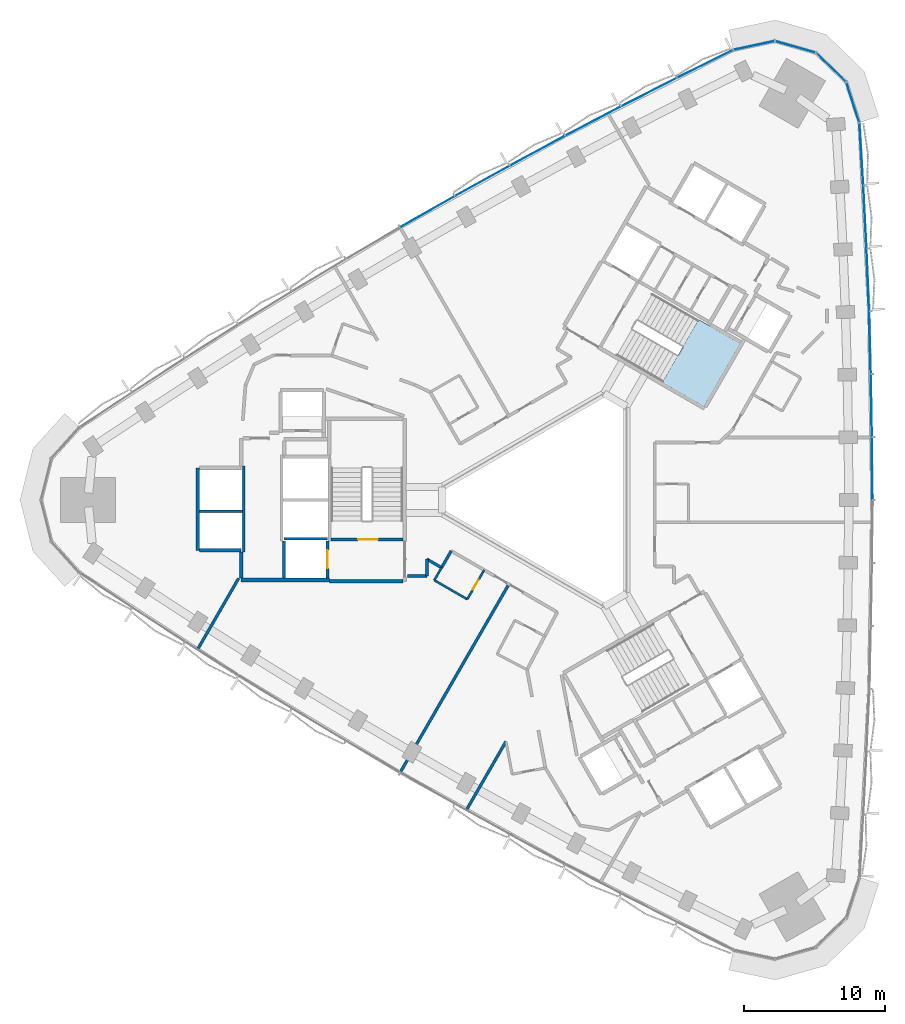
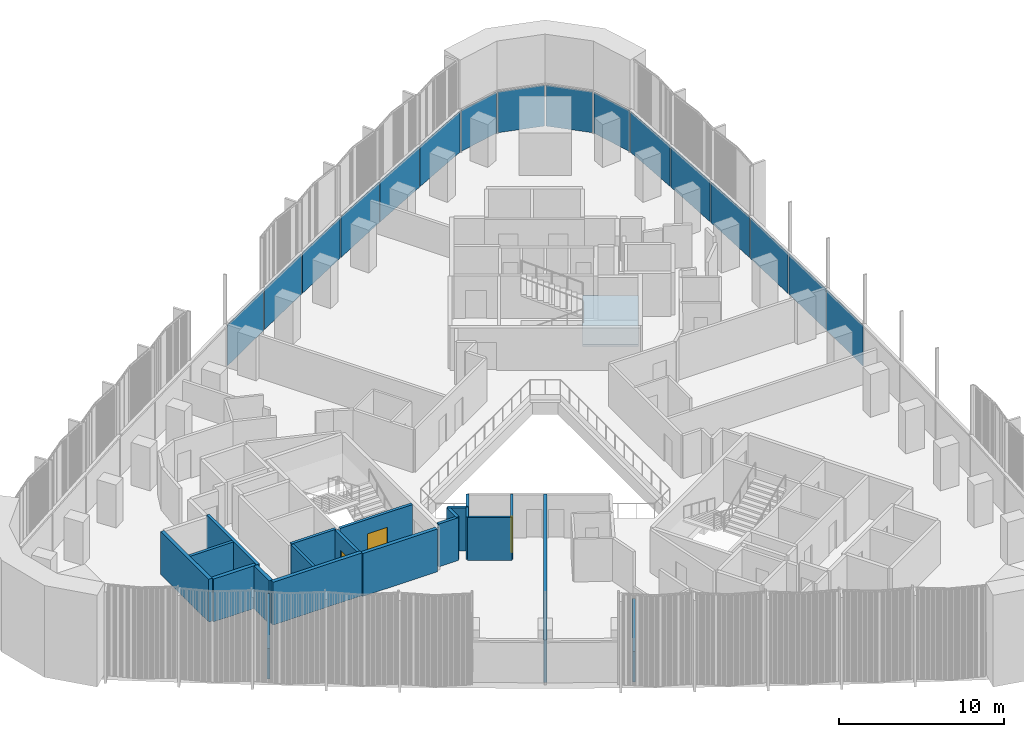
# One storey, part 7 of 15: 21 walls, 16 plates, 3 doors, 1 slab, 3 openings, 3 elements without a shape of their own.
"""IFC4 building model written with IfcOpenShell, lengths in metres."""

from ifc_helpers import new_model, si_unit, direction, frame, frame_2d, origin, origin_2d, place, context, subcontext, project, spatial, polyline, rectangle, outline, extrude, material, layer, layer_set, type_object, element, fill, aggregate, save


model = new_model("IFC4")

# Units and contexts
model_context = context("Model", 3, precision=1e-05, world=origin(), true_north=direction((0.0, 1.0)))
body_context = subcontext(model_context, "Body", "Model", "MODEL_VIEW")
ifc_project = project(units=[si_unit("LENGTHUNIT", "METRE"), si_unit("AREAUNIT", "SQUARE_METRE"), si_unit("VOLUMEUNIT", "CUBIC_METRE"), si_unit("PLANEANGLEUNIT", "RADIAN"), si_unit("MASSUNIT", "GRAM", prefix="KILO")], contexts=[model_context])

# Site, building, storey
site_placement = place(None, origin())
site = spatial("IfcSite", under=ifc_project, at=site_placement, CompositionType="ELEMENT")
building_placement = place(site_placement, origin())
building = spatial("IfcBuilding", under=site, at=building_placement, Name="Tamra Quay Hotel Tower", CompositionType="ELEMENT")
storey_placement = place(building_placement, frame((0.0, 0.0, 111.800048828125)))
storey = spatial("IfcBuildingStorey", under=building, at=storey_placement, Name="L27", CompositionType="ELEMENT", Elevation=111.800048828125)

# Stair, slab
ifc_material_1 = material(Name="Exit stair 2200 24 risers 150.0 going 342")
stair_type = type_object("IfcStairType", Name="Exit stair 2200 24 risers 150.0 going 342", PredefinedType="HALF_TURN_STAIR", material=ifc_material_1)
stair_placement = place(storey_placement, origin())
stair = element("IfcStair", 1, at=stair_placement, inside=storey, type_object=stair_type, Name="L27 Exit stair ST1", PredefinedType="HALF_TURN_STAIR")
ifc_material_2 = material(Name="Concrete M70", Category="concrete")
ifc_layer_1 = layer(ifc_material_2, 0.175048828125)
ifc_layer_set_1 = layer_set([ifc_layer_1], Name="Concrete M70 stair landing 180")
slab_type = type_object("IfcSlabType", Name="Concrete M70 stair landing 180", PredefinedType="LANDING", material=ifc_layer_set_1)
slab_placement = place(storey_placement, frame((0.0, 0.0, 1.625)))
slab = element("IfcSlab", 2, at=slab_placement, type_object=slab_type, Name="ST1 landing 1", PredefinedType="LANDING", context=body_context, shape_type="SweptSolid", body=[
    extrude(outline(polyline([(7.425048828125, 8.336669921875), (10.385009765625, 6.627685546875), (12.964599609375, 11.095458984375), (10.00439453125, 12.804443359375), (7.425048828125, 8.336669921875)])), origin(), (0.0, 0.0, 1.0), 0.175048828125),
])
aggregate(stair, [slab])

# Curtain wall, plates
ifc_material_3 = material(Name="Aluminium 6063 anodised dark grey", Category="aluminium")
curtain_wall_type_1 = type_object("IfcCurtainWallType", Name="CW1 CURTAIN WALL", PredefinedType="NOTDEFINED", material=ifc_material_3)
curtain_wall_1_placement = place(storey_placement, origin())
curtain_wall_1 = element("IfcCurtainWall", 3, at=curtain_wall_1_placement, inside=storey, type_object=curtain_wall_type_1, Name="CW1 east face L27", PredefinedType="NOTDEFINED")
ifc_material_4 = material(Name="Glass clear laminated low-iron", Category="glass")
ifc_layer_2 = layer(ifc_material_4, 0.033935546875)
ifc_layer_set_2 = layer_set([ifc_layer_2], Name="GLASS PANEL CW1 Z2")
plate_type_1 = type_object("IfcPlateType", Name="GLASS PANEL CW1 Z2", PredefinedType="CURTAIN_PANEL", material=ifc_layer_set_2)
plate_1_placement = place(storey_placement, frame((22.3203125, 2.23193359375, 0.0), z_axis=(0.0, 0.0, 1.0), x_axis=(-0.005712677225, 0.999983682526, 0.0)))
plate_1 = element("IfcPlate", 4, at=plate_1_placement, type_object=plate_type_1, Name="CW1 glass L27.E.7", PredefinedType="CURTAIN_PANEL", context=body_context, shape_type="SweptSolid", body=[
    extrude(rectangle(XDim=4.364013671875, YDim=0.033935546875, at=origin_2d()), origin(), (0.0, 0.0, 1.0), 3.034912109375),
])
plate_2_placement = place(storey_placement, frame((22.269287109375, 6.695556640625, 0.0), z_axis=(0.0, 0.0, 1.0), x_axis=(-0.017133900698, 0.999853203949, 0.0)))
plate_2 = element("IfcPlate", 5, at=plate_2_placement, type_object=plate_type_1, Name="CW1 glass L27.E.8", PredefinedType="CURTAIN_PANEL", context=body_context, shape_type="SweptSolid", body=[
    extrude(rectangle(XDim=4.364013671875, YDim=0.033935546875, at=origin_2d()), origin(), (0.0, 0.0, 1.0), 3.034912109375),
])
plate_3_placement = place(storey_placement, frame((22.167236328125, 11.158203125, 0.0), z_axis=(0.0, 0.0, 1.0), x_axis=(-0.028546238865, 0.999592473084, 0.0)))
plate_3 = element("IfcPlate", 6, at=plate_3_placement, type_object=plate_type_1, Name="CW1 glass L27.E.9", PredefinedType="CURTAIN_PANEL", context=body_context, shape_type="SweptSolid", body=[
    extrude(rectangle(XDim=4.364013671875, YDim=0.033935546875, at=origin_2d()), origin(), (0.0, 0.0, 1.0), 3.034912109375),
])
plate_4_placement = place(storey_placement, frame((22.014404296875, 15.61962890625, 0.0), z_axis=(0.0, 0.0, 1.0), x_axis=(-0.039943755239, 0.999201929751, 0.0)))
plate_4 = element("IfcPlate", 7, at=plate_4_placement, type_object=plate_type_1, Name="CW1 glass L27.E.10", PredefinedType="CURTAIN_PANEL", context=body_context, shape_type="SweptSolid", body=[
    extrude(rectangle(XDim=4.364013671875, YDim=0.033935546875, at=origin_2d()), origin(), (0.0, 0.0, 1.0), 3.034912109375),
])
plate_5_placement = place(storey_placement, frame((21.810791015625, 20.078857421875, 0.0), z_axis=(0.0, 0.0, 1.0), x_axis=(-0.051320550821, 0.998682232276, 0.0)))
plate_5 = element("IfcPlate", 8, at=plate_5_placement, type_object=plate_type_1, Name="CW1 glass L27.E.11", PredefinedType="CURTAIN_PANEL", context=body_context, shape_type="SweptSolid", body=[
    extrude(rectangle(XDim=4.364013671875, YDim=0.033935546875, at=origin_2d()), origin(), (0.0, 0.0, 1.0), 3.034912109375),
])
plate_6_placement = place(storey_placement, frame((21.556396484375, 24.53515625, 0.0), z_axis=(0.0, 0.0, 1.0), x_axis=(-0.062670105733, 0.998034296929, 0.0)))
plate_6 = element("IfcPlate", 9, at=plate_6_placement, type_object=plate_type_1, Name="CW1 glass L27.E.12", PredefinedType="CURTAIN_PANEL", context=body_context, shape_type="SweptSolid", body=[
    extrude(rectangle(XDim=4.363525390625, YDim=0.033935546875, at=origin_2d()), origin(), (0.0, 0.0, 1.0), 3.034912109375),
])
plate_7_placement = place(storey_placement, frame((20.9521484375, 28.197509765625, 0.0), z_axis=(0.0, 0.0, 1.0), x_axis=(-0.307790863622, 0.951454036867, 0.0)))
plate_7 = element("IfcPlate", 10, at=plate_7_placement, type_object=plate_type_1, Name="CW1 glass L27.E.13", PredefinedType="CURTAIN_PANEL", context=body_context, shape_type="SweptSolid", body=[
    extrude(rectangle(XDim=2.916748046875, YDim=0.033935546875, at=origin_2d()), origin(), (0.0, 0.0, 1.0), 3.034912109375),
])
plate_8_placement = place(storey_placement, frame((19.4033203125, 30.680908203125, 0.0), z_axis=(0.0, 0.0, 1.0), x_axis=(-0.71904127153, 0.694967373217, 0.0)))
plate_8 = element("IfcPlate", 11, at=plate_8_placement, type_object=plate_type_1, Name="CW1 glass L27.E.14", PredefinedType="CURTAIN_PANEL", context=body_context, shape_type="SweptSolid", body=[
    extrude(rectangle(XDim=2.916748046875, YDim=0.033935546875, at=origin_2d()), origin(), (0.0, 0.0, 1.0), 3.034912109375),
])
plate_9_placement = place(storey_placement, frame((16.868896484375, 32.144287109375, 0.0), z_axis=(0.0, 0.0, 1.0), x_axis=(-0.961380035772, 0.275224320906, 0.0)))
plate_9 = element("IfcPlate", 12, at=plate_9_placement, type_object=plate_type_1, Name="CW1 glass L27.E.15", PredefinedType="CURTAIN_PANEL", context=body_context, shape_type="SweptSolid", body=[
    extrude(rectangle(XDim=2.916748046875, YDim=0.033935546875, at=origin_2d()), origin(), (0.0, 0.0, 1.0), 3.034912109375),
])
plate_10_placement = place(storey_placement, frame((13.94384765625, 32.243896484375, 0.0), z_axis=(0.0, 0.0, 1.0), x_axis=(-0.977878798271, -0.209172311484, 0.0)))
plate_10 = element("IfcPlate", 13, at=plate_10_placement, type_object=plate_type_1, Name="CW1 glass L27.E.16", PredefinedType="CURTAIN_PANEL", context=body_context, shape_type="SweptSolid", body=[
    extrude(rectangle(XDim=2.916748046875, YDim=0.033935546875, at=origin_2d()), origin(), (0.0, 0.0, 1.0), 3.034912109375),
])
aggregate(curtain_wall_1, [plate_1, plate_2, plate_3, plate_4, plate_5, plate_6, plate_7, plate_8, plate_9, plate_10])

curtain_wall_type_2 = type_object("IfcCurtainWallType", Name="CW2 CURTAIN WALL", PredefinedType="NOTDEFINED", material=ifc_material_3)
curtain_wall_2_placement = place(storey_placement, origin())
curtain_wall_2 = element("IfcCurtainWall", 14, at=curtain_wall_2_placement, inside=storey, type_object=curtain_wall_type_2, Name="CW2 north-west face L27", PredefinedType="NOTDEFINED")
ifc_layer_3 = layer(ifc_material_4, 0.033935546875)
ifc_layer_set_3 = layer_set([ifc_layer_3], Name="GLASS PANEL CW2 Z2")
plate_type_2 = type_object("IfcPlateType", Name="GLASS PANEL CW2 Z2", PredefinedType="CURTAIN_PANEL", material=ifc_layer_set_3)
plate_11_placement = place(storey_placement, frame((10.469970703125, 30.935791015625, 0.0), z_axis=(0.0, 0.0, 1.0), x_axis=(-0.895658107856, -0.444743244842, 0.0)))
plate_11 = element("IfcPlate", 15, at=plate_11_placement, type_object=plate_type_2, Name="CW2 glass L27.NW.1", PredefinedType="CURTAIN_PANEL", context=body_context, shape_type="SweptSolid", body=[
    extrude(rectangle(XDim=4.363525390625, YDim=0.033935546875, at=origin_2d()), origin(), (0.0, 0.0, 1.0), 3.034912109375),
])
plate_12_placement = place(storey_placement, frame((6.4833984375, 28.927978515625, 0.0), z_axis=(0.0, 0.0, 1.0), x_axis=(-0.89054445887, -0.454896215391, 0.0)))
plate_12 = element("IfcPlate", 16, at=plate_12_placement, type_object=plate_type_2, Name="CW2 glass L27.NW.2", PredefinedType="CURTAIN_PANEL", context=body_context, shape_type="SweptSolid", body=[
    extrude(rectangle(XDim=4.364013671875, YDim=0.033935546875, at=origin_2d()), origin(), (0.0, 0.0, 1.0), 3.034912109375),
])
plate_13_placement = place(storey_placement, frame((2.519775390625, 26.874755859375, 0.0), z_axis=(0.0, 0.0, 1.0), x_axis=(-0.885306132294, -0.465008658116, 0.0)))
plate_13 = element("IfcPlate", 17, at=plate_13_placement, type_object=plate_type_2, Name="CW2 glass L27.NW.3", PredefinedType="CURTAIN_PANEL", context=body_context, shape_type="SweptSolid", body=[
    extrude(rectangle(XDim=4.364013671875, YDim=0.033935546875, at=origin_2d()), origin(), (0.0, 0.0, 1.0), 3.034912109375),
])
plate_14_placement = place(storey_placement, frame((-1.420166015625, 24.776611328125, 0.0), z_axis=(0.0, 0.0, 1.0), x_axis=(-0.879945594555, -0.475074468502, 0.0)))
plate_14 = element("IfcPlate", 18, at=plate_14_placement, type_object=plate_type_2, Name="CW2 glass L27.NW.4", PredefinedType="CURTAIN_PANEL", context=body_context, shape_type="SweptSolid", body=[
    extrude(rectangle(XDim=4.364013671875, YDim=0.033935546875, at=origin_2d()), origin(), (0.0, 0.0, 1.0), 3.034912109375),
])
plate_15_placement = place(storey_placement, frame((-5.336181640625, 22.633544921875, 0.0), z_axis=(0.0, 0.0, 1.0), x_axis=(-0.874465225024, -0.485088208704, 0.0)))
plate_15 = element("IfcPlate", 19, at=plate_15_placement, type_object=plate_type_2, Name="CW2 glass L27.NW.5", PredefinedType="CURTAIN_PANEL", context=body_context, shape_type="SweptSolid", body=[
    extrude(rectangle(XDim=4.364013671875, YDim=0.033935546875, at=origin_2d()), origin(), (0.0, 0.0, 1.0), 3.034912109375),
])
plate_16_placement = place(storey_placement, frame((-9.227294921875, 20.44580078125, 0.0), z_axis=(0.0, 0.0, 1.0), x_axis=(-0.86886761105, -0.495044517663, 0.0)))
plate_16 = element("IfcPlate", 20, at=plate_16_placement, type_object=plate_type_2, Name="CW2 glass L27.NW.6", PredefinedType="CURTAIN_PANEL", context=body_context, shape_type="SweptSolid", body=[
    extrude(rectangle(XDim=4.364013671875, YDim=0.033935546875, at=origin_2d()), origin(), (0.0, 0.0, 1.0), 3.034912109375),
])
aggregate(curtain_wall_2, [plate_11, plate_12, plate_13, plate_14, plate_15, plate_16])

# Wall
ifc_layer_4 = layer(ifc_material_2, 0.199951171875)
ifc_layer_set_4 = layer_set([ifc_layer_4], Name="Concrete M70 core wall 200")
wall_type_1 = type_object("IfcWallType", Name="Concrete M70 core wall 200", PredefinedType="SHEAR", material=ifc_layer_set_4)
wall_1_placement = place(storey_placement, frame((-22.26220703125, 2.400146484375, 0.0), z_axis=(0.0, 0.0, 1.0), x_axis=(0.0, -1.0, 0.0)))
element("IfcWall", 21, at=wall_1_placement, inside=storey, type_object=wall_type_1, Name="CW2", PredefinedType="SHEAR", context=body_context, shape_type="SweptSolid", body=[
    extrude(rectangle(XDim=6.100341796875, YDim=0.199951171875, at=frame_2d((3.05029296875, 0.0))), origin(), (0.0, 0.0, 1.0), 3.175048828125),
])

# Wall, opening, door
wall_2_placement = place(storey_placement, frame((-10.96337890625, -2.800048828125, 0.0), z_axis=(0.0, 0.0, 1.0), x_axis=(-1.0, 0.0, 0.0)))
wall_2 = element("IfcWall", 22, at=wall_2_placement, inside=storey, type_object=wall_type_1, Name="CW2", PredefinedType="SHEAR", context=body_context, shape_type="SweptSolid", body=[
    extrude(rectangle(XDim=5.097900390625, YDim=0.199951171875, at=frame_2d((2.548828125, 0.0))), origin(), (0.0, 0.0, 1.0), 3.175048828125),
])
opening_1_placement = place(wall_2_placement, frame((1.77392578125, 0.0, 0.0)))
opening_1 = element("IfcOpeningElement", 23, at=opening_1_placement, cuts=wall_2, Name="Opening FD2", PredefinedType="OPENING", context=body_context, shape_type="SweptSolid", body=[
    extrude(rectangle(XDim=1.39990234375, YDim=2.10009765625, at=frame_2d((0.699951171875, 1.050048828125))), frame((0.0, 0.10986328125, 0.0), z_axis=(0.0, -1.0, 0.0), x_axis=(1.0, 0.0, 0.0)), (0.0, 0.0, 1.0), 0.219970703125),
])
ifc_material_5 = material(Name="Core door FD2 1400x2100 RH")
door_type_1 = type_object("IfcDoorType", Name="Core door FD2 1400x2100 RH", OperationType="NOTDEFINED", PredefinedType="DOOR", material=ifc_material_5)
door_1_placement = place(opening_1_placement, origin())
door_1 = element("IfcDoor", 24, at=door_1_placement, inside=storey, type_object=door_type_1, Name="FD2", OperationType="SINGLE_SWING_RIGHT", OverallHeight=2.10009765625, OverallWidth=1.39990234375, PredefinedType="DOOR", context=body_context, shape_type="SweptSolid", body=[
    extrude(rectangle(XDim=1.39990234375, YDim=2.10009765625, at=frame_2d((0.699951171875, 1.050048828125))), frame((0.0, 0.02490234375, 0.0), z_axis=(0.0, -1.0, 0.0), x_axis=(1.0, 0.0, 0.0)), (0.0, 0.0, 1.0), 0.050048828125),
])
fill(opening_1, door_1)

# Walls
wall_3_placement = place(storey_placement, frame((-22.36328125, -0.800048828125, 0.0), z_axis=(0.0, 0.0, 1.0), x_axis=(-1.0, 0.0, 0.0)))
element("IfcWall", 25, at=wall_3_placement, inside=storey, type_object=wall_type_1, Name="CW2", PredefinedType="SHEAR", context=body_context, shape_type="SweptSolid", body=[
    extrude(rectangle(XDim=3.048095703125, YDim=0.199951171875, at=frame_2d((1.52392578125, 0.0))), origin(), (0.0, 0.0, 1.0), 3.175048828125),
])
wall_4_placement = place(storey_placement, frame((-19.412353515625, -2.75, 0.0), z_axis=(0.0, 0.0, 1.0), x_axis=(1.0, 0.0, 0.0)))
element("IfcWall", 26, at=wall_4_placement, inside=storey, type_object=wall_type_1, Name="CW2", PredefinedType="SHEAR", context=body_context, shape_type="SweptSolid", body=[
    extrude(rectangle(XDim=3.10009765625, YDim=0.199951171875, at=frame_2d((1.550048828125, 0.0))), origin(), (0.0, 0.0, 1.0), 3.175048828125),
])

# Wall, opening, door
wall_5_placement = place(storey_placement, frame((-16.312255859375, -2.898193359375, 0.0), z_axis=(0.0, 0.0, 1.0), x_axis=(0.0, -1.0, 0.0)))
wall_5 = element("IfcWall", 27, at=wall_5_placement, inside=storey, type_object=wall_type_1, Name="CW2", PredefinedType="SHEAR", context=body_context, shape_type="SweptSolid", body=[
    extrude(rectangle(XDim=2.65087890625, YDim=0.199951171875, at=frame_2d((1.325439453125, 0.0))), origin(), (0.0, 0.0, 1.0), 3.175048828125),
])
opening_2_placement = place(wall_5_placement, frame((0.65185546875, 0.0, 0.0)))
opening_2 = element("IfcOpeningElement", 28, at=opening_2_placement, cuts=wall_5, Name="Opening LD", PredefinedType="OPENING", context=body_context, shape_type="SweptSolid", body=[
    extrude(rectangle(XDim=1.300048828125, YDim=2.10009765625, at=frame_2d((0.64990234375, 1.050048828125))), frame((0.0, 0.10986328125, 0.0), z_axis=(0.0, -1.0, 0.0), x_axis=(1.0, 0.0, 0.0)), (0.0, 0.0, 1.0), 0.219970703125),
])
ifc_material_6 = material(Name="Landing door LD 1300 sliding to right")
door_type_2 = type_object("IfcDoorType", Name="Landing door LD 1300 sliding to right", OperationType="NOTDEFINED", PredefinedType="DOOR", material=ifc_material_6)
door_2_placement = place(opening_2_placement, origin())
door_2 = element("IfcDoor", 29, at=door_2_placement, inside=storey, type_object=door_type_2, Name="LD", OperationType="SLIDING_TO_RIGHT", OverallHeight=2.10009765625, OverallWidth=1.300048828125, PredefinedType="DOOR", context=body_context, shape_type="SweptSolid", body=[
    extrude(rectangle(XDim=1.300048828125, YDim=2.10009765625, at=frame_2d((0.64990234375, 1.050048828125))), frame((0.0, 0.02490234375, 0.0), z_axis=(0.0, -1.0, 0.0), x_axis=(1.0, 0.0, 0.0)), (0.0, 0.0, 1.0), 0.050048828125),
])
fill(opening_2, door_2)

# Walls
wall_6_placement = place(storey_placement, frame((-19.412353515625, -5.549072265625, 0.0), z_axis=(0.0, 0.0, 1.0), x_axis=(0.0, 1.0, 0.0)))
element("IfcWall", 30, at=wall_6_placement, inside=storey, type_object=wall_type_1, Name="CW2", PredefinedType="SHEAR", context=body_context, shape_type="SweptSolid", body=[
    extrude(rectangle(XDim=2.65087890625, YDim=0.199951171875, at=frame_2d((1.325439453125, 0.0))), origin(), (0.0, 0.0, 1.0), 3.175048828125),
])
ifc_layer_5 = layer(ifc_material_2, 0.25)
ifc_layer_set_5 = layer_set([ifc_layer_5], Name="Concrete M70 core wall 250")
wall_type_2 = type_object("IfcWallType", Name="Concrete M70 core wall 250", PredefinedType="SHEAR", material=ifc_layer_set_5)
wall_7_placement = place(storey_placement, frame((-16.187255859375, -5.675048828125, 0.0), z_axis=(0.0, 0.0, 1.0), x_axis=(-1.0, 0.0, 0.0)))
element("IfcWall", 31, at=wall_7_placement, inside=storey, type_object=wall_type_2, Name="CW1", PredefinedType="SHEAR", context=body_context, shape_type="SweptSolid", body=[
    extrude(rectangle(XDim=6.25, YDim=0.25, at=frame_2d((3.125, 0.0))), origin(), (0.0, 0.0, 1.0), 3.175048828125),
])
wall_8_placement = place(storey_placement, frame((-25.537353515625, -3.574951171875, 0.0), z_axis=(0.0, 0.0, 1.0), x_axis=(0.0, 1.0, 0.0)))
element("IfcWall", 32, at=wall_8_placement, inside=storey, type_object=wall_type_2, Name="CW1", PredefinedType="SHEAR", context=body_context, shape_type="SweptSolid", body=[
    extrude(rectangle(XDim=5.849853515625, YDim=0.25, at=frame_2d((2.9248046875, 0.0))), origin(), (0.0, 0.0, 1.0), 3.175048828125),
])
wall_9_placement = place(storey_placement, frame((-10.962646484375, -5.77490234375, 0.0), z_axis=(0.0, 0.0, 1.0), x_axis=(-1.0, 0.0, 0.0)))
element("IfcWall", 33, at=wall_9_placement, inside=storey, type_object=wall_type_2, Name="CW1", PredefinedType="SHEAR", context=body_context, shape_type="SweptSolid", body=[
    extrude(rectangle(XDim=5.224609375, YDim=0.25, at=frame_2d((2.6123046875, 0.0))), origin(), (0.0, 0.0, 1.0), 3.175048828125),
])
wall_10_placement = place(storey_placement, frame((-22.437255859375, -3.574951171875, 0.0), z_axis=(0.0, 0.0, 1.0), x_axis=(-1.0, 0.0, 0.0)))
element("IfcWall", 34, at=wall_10_placement, inside=storey, type_object=wall_type_2, Name="CW1", PredefinedType="SHEAR", context=body_context, shape_type="SweptSolid", body=[
    extrude(rectangle(XDim=2.974609375, YDim=0.25, at=frame_2d((1.4873046875, 0.0))), origin(), (0.0, 0.0, 1.0), 3.175048828125),
])
wall_11_placement = place(storey_placement, frame((-22.437255859375, -5.549560546875, 0.0), z_axis=(0.0, 0.0, 1.0), x_axis=(0.0, 1.0, 0.0)))
element("IfcWall", 35, at=wall_11_placement, inside=storey, type_object=wall_type_2, Name="CW1", PredefinedType="SHEAR", context=body_context, shape_type="SweptSolid", body=[
    extrude(rectangle(XDim=1.84912109375, YDim=0.25, at=frame_2d((0.924560546875, 0.0))), origin(), (0.0, 0.0, 1.0), 3.175048828125),
])
ifc_material_7 = material(Name="Partition corridor wall")
ifc_layer_6 = layer(ifc_material_7, 0.199951171875)
ifc_layer_set_6 = layer_set([ifc_layer_6], Name="Partition corridor wall")
wall_type_3 = type_object("IfcWallType", Name="Partition corridor wall", PredefinedType="PARTITIONING", material=ifc_layer_set_6)
wall_12_placement = place(storey_placement, frame((-10.65234375, -5.39990234375, 0.0), z_axis=(0.0, 0.0, 1.0), x_axis=(1.0, 0.0, 0.0)))
element("IfcWall", 36, at=wall_12_placement, inside=storey, type_object=wall_type_3, Name="W-C", PredefinedType="PARTITIONING", context=body_context, shape_type="SweptSolid", body=[
    extrude(rectangle(XDim=1.390380859375, YDim=0.199951171875, at=frame_2d((0.6953125, 0.0))), origin(), (0.0, 0.0, 1.0), 3.175048828125),
])
for number, where, z_axis, x_axis, name in (
    (37, (-9.261962890625, -5.39990234375, 0.0), (0.0, 0.0, 1.0), (0.0, 1.0, 0.0), "W-C"),
    (38, (-9.261962890625, -4.199951171875, 0.0), (0.0, 0.0, 1.0), (0.865955154139, -0.50012165622, 0.0), "W-C"),
):
    element("IfcWall", number, at=place(storey_placement, frame(where, z_axis=z_axis, x_axis=x_axis)), inside=storey, type_object=wall_type_3, Name=name, PredefinedType="PARTITIONING", context=body_context, shape_type="SweptSolid", body=[
        extrude(rectangle(XDim=1.199951171875, YDim=0.199951171875, at=frame_2d((0.60009765625, 0.0))), origin(), (0.0, 0.0, 1.0), 3.175048828125),
    ])
wall_13_placement = place(storey_placement, frame((-8.222900390625, -4.800048828125, 0.0), z_axis=(0.0, 0.0, 1.0), x_axis=(0.499804837697, 0.866138051476, 0.0)))
element("IfcWall", 39, at=wall_13_placement, inside=storey, type_object=wall_type_3, Name="W-C", PredefinedType="PARTITIONING", context=body_context, shape_type="SweptSolid", body=[
    extrude(rectangle(XDim=1.3681640625, YDim=0.199951171875, at=frame_2d((0.68408203125, 0.0))), origin(), (0.0, 0.0, 1.0), 3.175048828125),
])
ifc_material_8 = material(Name="Partition en-suite wall")
ifc_layer_7 = layer(ifc_material_8, 0.14990234375)
ifc_layer_set_7 = layer_set([ifc_layer_7], Name="Partition en-suite wall")
wall_type_4 = type_object("IfcWallType", Name="Partition en-suite wall", PredefinedType="PARTITIONING", material=ifc_layer_set_7)
wall_14_placement = place(storey_placement, frame((-8.738037109375, -5.69091796875, 0.0), z_axis=(0.0, 0.0, 1.0), x_axis=(0.500167013294, 0.865928957139, 0.0)))
element("IfcWall", 40, at=wall_14_placement, inside=storey, type_object=wall_type_4, Name="W-E", PredefinedType="PARTITIONING", context=body_context, shape_type="SweptSolid", body=[
    extrude(rectangle(XDim=1.030029296875, YDim=0.14990234375, at=frame_2d((0.51513671875, 0.0))), origin(), (0.0, 0.0, 1.0), 3.175048828125),
])
wall_15_placement = place(storey_placement, frame((-8.737060546875, -5.694091796875, 0.0), z_axis=(0.0, 0.0, 1.0), x_axis=(0.865808401238, -0.500375671217, 0.0)))
element("IfcWall", 41, at=wall_15_placement, inside=storey, type_object=wall_type_4, Name="W-E", PredefinedType="PARTITIONING", context=body_context, shape_type="SweptSolid", body=[
    extrude(rectangle(XDim=2.69580078125, YDim=0.14990234375, at=frame_2d((1.347900390625, 0.0))), origin(), (0.0, 0.0, 1.0), 3.175048828125),
])

# Wall, opening, door
wall_16_placement = place(storey_placement, frame((-6.39990234375, -7.0419921875, 0.0), z_axis=(0.0, 0.0, 1.0), x_axis=(0.499831206644, 0.866122834744, 0.0)))
wall_16 = element("IfcWall", 42, at=wall_16_placement, inside=storey, type_object=wall_type_4, Name="W-E", PredefinedType="PARTITIONING", context=body_context, shape_type="SweptSolid", body=[
    extrude(rectangle(XDim=2.396728515625, YDim=0.14990234375, at=frame_2d((1.1982421875, 0.0))), origin(), (0.0, 0.0, 1.0), 3.175048828125),
])
opening_3_placement = place(wall_16_placement, frame((0.79833984375, 0.0, 0.0)))
opening_3 = element("IfcOpeningElement", 43, at=opening_3_placement, cuts=wall_16, Name="Opening L27-D013", PredefinedType="OPENING", context=body_context, shape_type="SweptSolid", body=[
    extrude(rectangle(XDim=0.800048828125, YDim=2.10009765625, at=frame_2d((0.39990234375, 1.050048828125))), frame((0.0, 0.0849609375, 0.0), z_axis=(0.0, -1.0, 0.0), x_axis=(1.0, 0.0, 0.0)), (0.0, 0.0, 1.0), 0.169921875),
])
ifc_material_9 = material(Name="Door en-suite 800x2100")
door_type_3 = type_object("IfcDoorType", Name="Door en-suite 800x2100", OperationType="NOTDEFINED", PredefinedType="DOOR", material=ifc_material_9)
door_3_placement = place(opening_3_placement, origin())
door_3 = element("IfcDoor", 44, at=door_3_placement, inside=storey, type_object=door_type_3, Name="L27-D013", OperationType="SINGLE_SWING_LEFT", OverallHeight=2.10009765625, OverallWidth=0.800048828125, PredefinedType="DOOR", context=body_context, shape_type="SweptSolid", body=[
    extrude(rectangle(XDim=0.800048828125, YDim=2.10009765625, at=frame_2d((0.39990234375, 1.050048828125))), frame((0.0, 0.02490234375, 0.0), z_axis=(0.0, -1.0, 0.0), x_axis=(1.0, 0.0, 0.0)), (0.0, 0.0, 1.0), 0.050048828125),
])
fill(opening_3, door_3)

# Walls
ifc_material_10 = material(Name="Partition party wall")
ifc_layer_8 = layer(ifc_material_10, 0.199951171875)
ifc_layer_set_8 = layer_set([ifc_layer_8], Name="Partition party wall")
wall_type_5 = type_object("IfcWallType", Name="Partition party wall", PredefinedType="PARTITIONING", material=ifc_layer_set_8)
wall_17_placement = place(storey_placement, frame((-25.54052734375, -10.613525390625, 0.0), z_axis=(0.0, 0.0, 1.0), x_axis=(0.500021796384, 0.866012819271, 0.0)))
element("IfcWall", 45, at=wall_17_placement, inside=storey, type_object=wall_type_5, Name="W-P", PredefinedType="PARTITIONING", context=body_context, shape_type="SweptSolid", body=[
    extrude(rectangle(XDim=5.836181640625, YDim=0.199951171875, at=frame_2d((2.91796875, 0.0))), origin(), (0.0, 0.0, 1.0), 2.27490234375),
])
wall_18_placement = place(storey_placement, frame((-11.1630859375, -19.337158203125, 0.0), z_axis=(0.0, 0.0, 1.0), x_axis=(0.499956700234, 0.866050401473, 0.0)))
element("IfcWall", 46, at=wall_18_placement, inside=storey, type_object=wall_type_5, Name="W-P", PredefinedType="PARTITIONING", context=body_context, shape_type="SweptSolid", body=[
    extrude(rectangle(XDim=15.427490234375, YDim=0.199951171875, at=frame_2d((7.7138671875, 0.0))), origin(), (0.0, 0.0, 1.0), 3.175048828125),
])
wall_19_placement = place(storey_placement, frame((-6.46630859375, -22.000732421875, 0.0), z_axis=(0.0, 0.0, 1.0), x_axis=(0.499957307824, 0.86605005072, 0.0)))
element("IfcWall", 47, at=wall_19_placement, inside=storey, type_object=wall_type_5, Name="W-P", PredefinedType="PARTITIONING", context=body_context, shape_type="SweptSolid", body=[
    extrude(rectangle(XDim=5.63916015625, YDim=0.199951171875, at=frame_2d((2.819580078125, 0.0))), origin(), (0.0, 0.0, 1.0), 2.27490234375),
])

save(model, "model.ifc")
